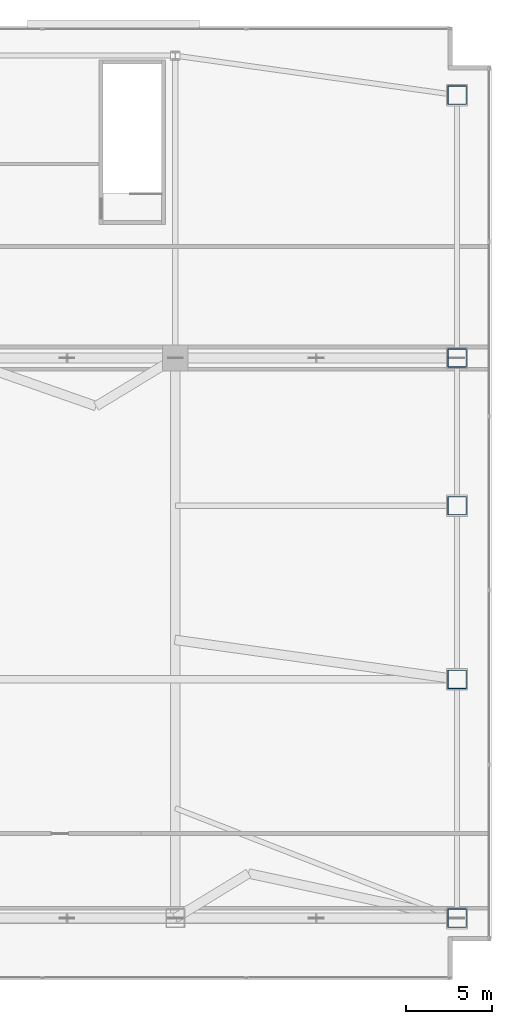
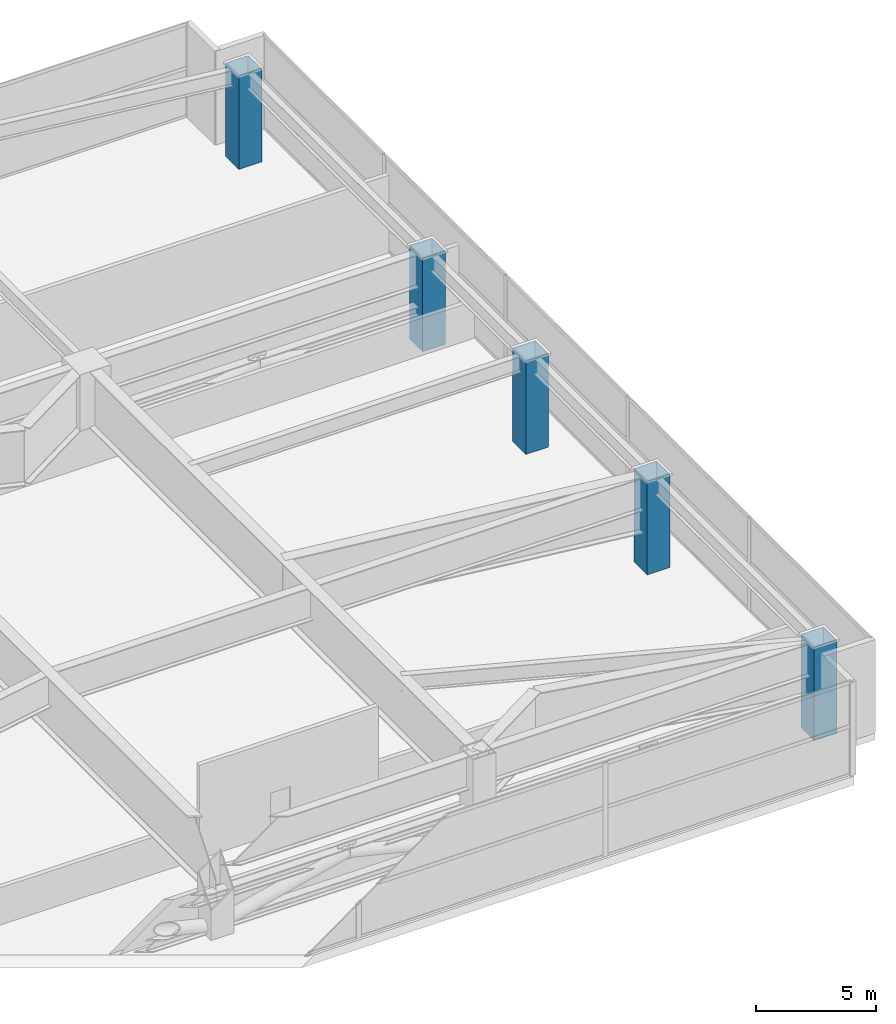
# One storey, part 3 of 36: 5 columns.
"""IFC4 building model written with IfcOpenShell, lengths in metres."""

from ifc_helpers import new_model, si_unit, direction, frame, origin, origin_2d, place, context, subcontext, project, spatial, hollow_rectangle, extrude, material, material_profile, profile_set, type_object, element, save


model = new_model("IFC4")

# Units and contexts
model_context = context("Model", 3, precision=1e-05, world=origin(), true_north=direction((0.0, 1.0)))
body_context = subcontext(model_context, "Body", "Model", "MODEL_VIEW")
ifc_project = project(units=[si_unit("LENGTHUNIT", "METRE"), si_unit("AREAUNIT", "SQUARE_METRE"), si_unit("VOLUMEUNIT", "CUBIC_METRE"), si_unit("PLANEANGLEUNIT", "RADIAN"), si_unit("MASSUNIT", "GRAM", prefix="KILO")], contexts=[model_context])

# Site, building, storey
site_placement = place(None, origin())
site = spatial("IfcSite", under=ifc_project, at=site_placement, CompositionType="ELEMENT")
building_placement = place(site_placement, origin())
building = spatial("IfcBuilding", under=site, at=building_placement, Name="Calvorn Quay Hotel", CompositionType="ELEMENT")
storey_placement = place(building_placement, frame((0.0, 0.0, 22.0)))
storey = spatial("IfcBuildingStorey", under=building, at=storey_placement, Name="L04", CompositionType="ELEMENT", Elevation=22.0)

# Columns
ifc_material = material(Name="Steel Q420GJC", Category="steel")
ifc_material_profile = material_profile(ifc_material, hollow_rectangle(XDim=1.10009765625, YDim=1.10009765625, WallThickness=0.044921875, at=origin_2d()), Name="BOX1100x1100x45")
ifc_profile_set = profile_set([ifc_material_profile], Name="Steel Q420GJC")
column_type = type_object("IfcColumnType", Name="COL-STL-MEGA1", PredefinedType="COLUMN", material=ifc_profile_set)
for number, where, z_axis, x_axis, name in (
    (1, (74.0, 3.60009765625, 0.0), (0.0, 0.0, 1.0), (1.0, 0.0, 0.0), "Column C-PE1 (L04)"),
    (2, (74.0, 17.5, 0.0), (0.0, 0.0, 1.0), (1.0, 0.0, 0.0), "Column C-PE2 (L04)"),
    (3, (74.0, 27.60009765625, 0.0), (0.0, 0.0, 1.0), (1.0, 0.0, 0.0), "Column C-PE3 (L04)"),
    (4, (74.0, 36.199951171875, 0.0), (0.0, 0.0, 1.0), (1.0, 0.0, 0.0), "Column C-PE4 (L04)"),
    (5, (74.0, 51.5, 0.0), (0.0, 0.0, 1.0), (1.0, 0.0, 0.0), "Column C-PE5 (L04)"),
):
    element("IfcColumn", number, at=place(storey_placement, frame(where, z_axis=z_axis, x_axis=x_axis)), inside=storey, type_object=column_type, Name=name, PredefinedType="COLUMN", context=body_context, shape_type="SweptSolid", body=[
        extrude(hollow_rectangle(XDim=1.10009765625, YDim=1.10009765625, WallThickness=0.044921875, at=origin_2d()), origin(), (0.0, 0.0, 1.0), 4.760009765625),
    ])

save(model, "model.ifc")
